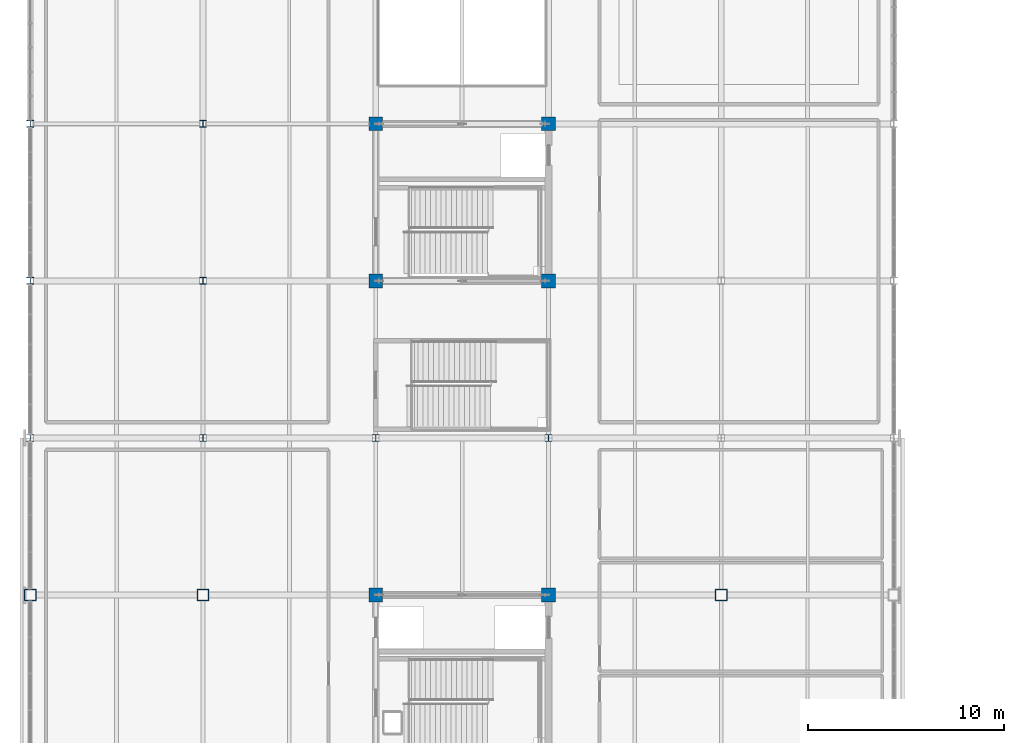
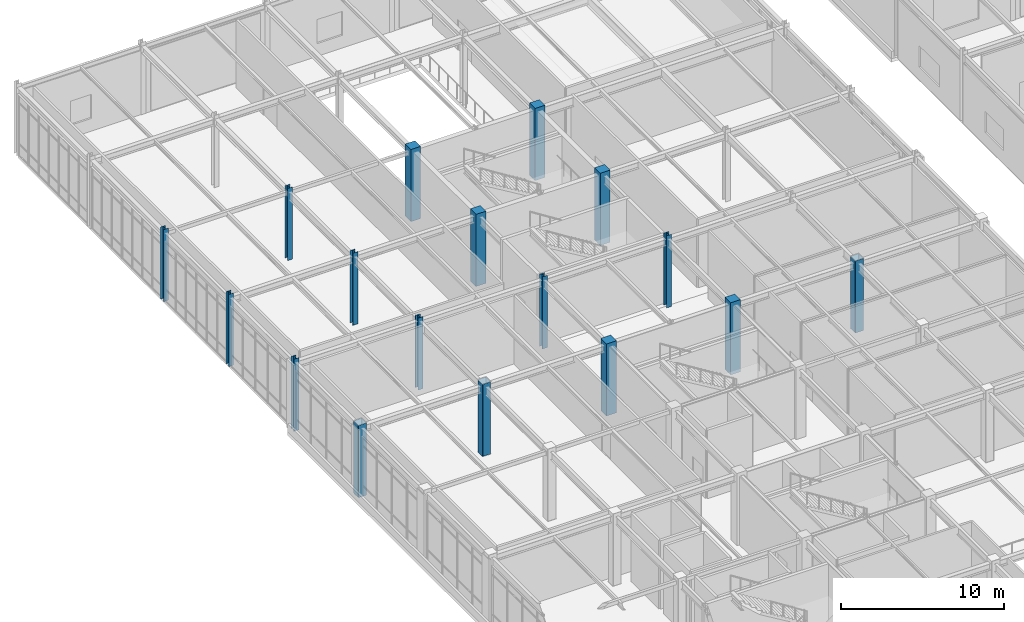
# One storey, part 12 of 184: 17 columns.
"""IFC4 building model written with IfcOpenShell, lengths in metres."""

import ifcopenshell
import ifcopenshell.guid

model = None  # the IFC model being written
_history = None  # IfcOwnerHistory: only IFC2X3 demands one
_inside = {}  # id of a spatial element -> (the spatial element, [elements in it])
_under = {}  # id of a project, library or spatial element -> (it, [spatial elements below it])
_declared = {}  # id of a project -> (the project, [libraries it declares])
_typed = {}  # id of a type object -> (the type object, [elements of that type])
_made_of = {}  # id of a material, layer set ... -> (it, [elements and type objects made of it])


def new_model(schema):
    """Start an empty IFC model of exactly this schema.

    Asked for "IFC4X3", IfcOpenShell would pick the latest addendum, in which some entities
    have other attributes; the version numbers below select the first issue.
    IFC2X3 requires an IfcOwnerHistory on every rooted entity: one is made here for all.
    """
    global model, _history
    if schema == "IFC4X3":
        model = ifcopenshell.file(schema_version=(4, 3, 0, 0))
    else:
        model = ifcopenshell.file(schema=schema)
    _inside.clear()
    _under.clear()
    _declared.clear()
    _typed.clear()
    _made_of.clear()
    _history = None
    if model.schema == "IFC2X3":
        org = make("IfcOrganization", Name="unknown")
        user = make(
            "IfcPersonAndOrganization",
            ThePerson=make("IfcPerson", FamilyName="unknown"),
            TheOrganization=org,
        )
        app = make(
            "IfcApplication",
            ApplicationDeveloper=org,
            Version="unknown",
            ApplicationFullName="unknown",
            ApplicationIdentifier="unknown",
        )
        _history = make(
            "IfcOwnerHistory",
            OwningUser=user,
            OwningApplication=app,
            ChangeAction="ADDED",
            CreationDate=0,
        )
    return model


def make(cls, **values):
    """One entity of the class cls with the attributes given. An attribute that is None is left unset."""
    return model.create_entity(
        cls, **{name: value for name, value in values.items() if value is not None}
    )


def rooted(cls, **values):
    """An entity with a GlobalId (a new one), such as an element, a storey or a relation."""
    return make(cls, GlobalId=ifcopenshell.guid.new(), OwnerHistory=_history, **values)


def si_unit(unit_type, name, prefix=None):
    """IfcSIUnit, for example si_unit("LENGTHUNIT", "METRE", prefix="MILLI")."""
    return make("IfcSIUnit", UnitType=unit_type, Prefix=prefix, Name=name)


def assignment(units):
    """IfcUnitAssignment: the units of a project."""
    return None if units is None else make("IfcUnitAssignment", Units=units)


def point(xyz):
    """IfcCartesianPoint."""
    return None if xyz is None else make("IfcCartesianPoint", Coordinates=xyz)


def direction(xyz):
    """IfcDirection."""
    return None if xyz is None else make("IfcDirection", DirectionRatios=xyz)


def frame(location, z_axis=None, x_axis=None):
    """IfcAxis2Placement3D, a coordinate frame: its origin and axes. An axis left out is left unset."""
    return make(
        "IfcAxis2Placement3D",
        Location=point(location),
        Axis=direction(z_axis),
        RefDirection=direction(x_axis),
    )


def frame_2d(location, x_axis=None):
    """IfcAxis2Placement2D, a coordinate frame in the plane: its origin and x axis."""
    return make(
        "IfcAxis2Placement2D", Location=point(location), RefDirection=direction(x_axis)
    )


def origin():
    """The frame at (0, 0, 0) with its axes left unset."""
    return frame((0.0, 0.0, 0.0))


def origin_2d():
    """The frame at (0, 0) in the plane with its x axis left unset."""
    return frame_2d((0.0, 0.0))


def place(relative_to, where):
    """IfcLocalPlacement: puts the frame where relative to a parent placement (None: the world)."""
    return make(
        "IfcLocalPlacement", PlacementRelTo=relative_to, RelativePlacement=where
    )


def context(
    kind, dimensions, precision=None, world=None, true_north=None, identifier=None
):
    """IfcGeometricRepresentationContext, for example the 3D "Model" context."""
    return make(
        "IfcGeometricRepresentationContext",
        ContextIdentifier=identifier,
        ContextType=kind,
        CoordinateSpaceDimension=dimensions,
        Precision=precision,
        WorldCoordinateSystem=world,
        TrueNorth=true_north,
    )


def subcontext(parent, identifier, kind, view, scale=None):
    """IfcGeometricRepresentationSubContext, for example "Body" below "Model"."""
    return make(
        "IfcGeometricRepresentationSubContext",
        ContextIdentifier=identifier,
        ContextType=kind,
        ParentContext=parent,
        TargetScale=scale,
        TargetView=view,
    )


def project(units=None, contexts=None):
    """IfcProject with its units and contexts."""
    return rooted(
        "IfcProject",
        Name="project",
        RepresentationContexts=contexts,
        UnitsInContext=assignment(units),
    )


def spatial(cls, under=None, at=None, **own):
    """A site, building, storey or space (cls), placed at a placement, below another one or the project."""
    s = rooted(cls, ObjectPlacement=at, **own)
    if under is not None:
        _under.setdefault(under.id(), (under, []))[1].append(s)
    return s


def profile(cls, at=None, kind="AREA", **sizes):
    """A parametric profile (cls). Its sizes go by their IFC names, for example OverallWidth=200.0."""
    return make(cls, ProfileType=kind, Position=at, **sizes)


def rectangle(**sizes):
    """IfcRectangleProfileDef."""
    return profile("IfcRectangleProfileDef", **sizes)


def hollow_rectangle(**sizes):
    """IfcRectangleHollowProfileDef."""
    return profile("IfcRectangleHollowProfileDef", **sizes)


def i_section(**sizes):
    """IfcIShapeProfileDef."""
    return profile("IfcIShapeProfileDef", **sizes)


def extrude(swept, where, along, depth):
    """IfcExtrudedAreaSolid: the profile swept, set in the frame where, extruded along a direction by depth."""
    return make(
        "IfcExtrudedAreaSolid",
        SweptArea=swept,
        Position=where,
        ExtrudedDirection=direction(along),
        Depth=depth,
    )


def shape(context_of_items, identifier, shape_type, items):
    """IfcShapeRepresentation: the items that make up one representation, for example the "Body"."""
    return make(
        "IfcShapeRepresentation",
        ContextOfItems=context_of_items,
        RepresentationIdentifier=identifier,
        RepresentationType=shape_type,
        Items=items,
    )


def material(Name=None, Category=None):
    """IfcMaterial."""
    return make("IfcMaterial", Name=Name, Category=Category)


def material_profile(
    of_material, cross_section, Name=None, Category=None, Priority=None
):
    """IfcMaterialProfile: a cross section and its material."""
    return make(
        "IfcMaterialProfile",
        Name=Name,
        Material=of_material,
        Profile=cross_section,
        Priority=Priority,
        Category=Category,
    )


def profile_set(profiles, Name=None, composite=None):
    """IfcMaterialProfileSet."""
    return make(
        "IfcMaterialProfileSet",
        Name=Name,
        MaterialProfiles=profiles,
        CompositeProfile=composite,
    )


def made_of(thing, what):
    """Note that an element or type object is made of a material, layer set ...; save() writes the relation."""
    if what is not None:
        _made_of.setdefault(what.id(), (what, []))[1].append(thing)
    return thing


def type_object(cls, material=None, **own):
    """A type object (cls), such as IfcWallType, which elements share."""
    return made_of(rooted(cls, **own), material)


def element(
    cls,
    number,
    at=None,
    inside=None,
    cuts=None,
    type_object=None,
    material=None,
    context=None,
    identifier="Body",
    shape_type=None,
    held_by="IfcProductDefinitionShape",
    body=None,
    shapes=None,
    **own,
):
    """One element of the class cls, such as IfcWall. Its Tag is "e" and its number.

    at: its placement. inside: the storey or other place that contains it. cuts: it is an
    opening in that element (IfcRelVoidsElement). A single representation is given by context,
    identifier, shape_type and body (its items); several are given by shapes. held_by: the class
    of the entity that holds the representations. save() writes the other relations.
    """
    e = rooted(cls, Tag="e%d" % number, ObjectPlacement=at, **own)
    if body is not None:
        shapes = [shape(context, identifier, shape_type, body)]
    if shapes is not None:
        e.Representation = make(held_by, Representations=shapes)
    if inside is not None:
        _inside.setdefault(inside.id(), (inside, []))[1].append(e)
    if cuts is not None:
        rooted(
            "IfcRelVoidsElement", RelatingBuildingElement=cuts, RelatedOpeningElement=e
        )
    if type_object is not None:
        _typed.setdefault(type_object.id(), (type_object, []))[1].append(e)
    return made_of(e, material)


def aggregate(whole, parts):
    """IfcRelAggregates: a whole, such as a stair, and the parts it consists of."""
    return rooted("IfcRelAggregates", RelatingObject=whole, RelatedObjects=parts)


def save(model, path):
    """Write the relations noted so far, then the file.

    IfcRelAggregates (storeys below a building ...), IfcRelContainedInSpatialStructure (elements
    in a storey), IfcRelDefinesByType, IfcRelAssociatesMaterial and IfcRelDeclares: one each for
    every whole, place, type object, material and project.
    """
    for whole, parts in _under.values():
        aggregate(whole, parts)
    for where, things in _inside.values():
        rooted(
            "IfcRelContainedInSpatialStructure",
            RelatedElements=things,
            RelatingStructure=where,
        )
    for kind, things in _typed.values():
        rooted("IfcRelDefinesByType", RelatedObjects=things, RelatingType=kind)
    for what, things in _made_of.values():
        rooted("IfcRelAssociatesMaterial", RelatedObjects=things, RelatingMaterial=what)
    for by, libraries in _declared.values():
        rooted("IfcRelDeclares", RelatingContext=by, RelatedDefinitions=libraries)
    model.write(path)


model = new_model("IFC4")

# Units and contexts
model_context = context("Model", 3, precision=1e-05, world=origin(), true_north=direction((0.0, 1.0)))
body_context = subcontext(model_context, "Body", "Model", "MODEL_VIEW")
ifc_project = project(units=[si_unit("LENGTHUNIT", "METRE"), si_unit("AREAUNIT", "SQUARE_METRE"), si_unit("VOLUMEUNIT", "CUBIC_METRE"), si_unit("PLANEANGLEUNIT", "RADIAN"), si_unit("MASSUNIT", "GRAM", prefix="KILO")], contexts=[model_context])

# Site, building, storey
site_placement = place(None, origin())
site = spatial("IfcSite", under=ifc_project, at=site_placement, CompositionType="ELEMENT")
building_placement = place(site_placement, origin())
building = spatial("IfcBuilding", under=site, at=building_placement, Name="Zhaolan Boulevard Law Courts", CompositionType="ELEMENT")
storey_placement = place(building_placement, frame((0.0, 0.0, 5.39990234375)))
storey = spatial("IfcBuildingStorey", under=building, at=storey_placement, Name="L01", CompositionType="ELEMENT", Elevation=5.39990234375)

# Columns
ifc_material_1 = material(Name="Structural steel Q390B", Category="steel")
ifc_material_profile_1 = material_profile(ifc_material_1, hollow_rectangle(XDim=0.60009765625, YDim=0.60009765625, WallThickness=0.02392578125, InnerFilletRadius=0.02392578125, OuterFilletRadius=0.048095703125, at=origin_2d()), Name="BOX600x600x24")
ifc_profile_set_1 = profile_set([ifc_material_profile_1], Name="Structural steel Q390B")
column_type_1 = type_object("IfcColumnType", Name="COL BOX600", PredefinedType="COLUMN", material=ifc_profile_set_1)
for number, where, z_axis, x_axis, name in (
    (1, (0.0, 70.0, 0.0), (0.0, 0.0, 1.0), (1.0, 0.0, 0.0), "Column C-1K (L01)"),
    (2, (8.800048828125, 70.0, 0.0), (0.0, 0.0, 1.0), (1.0, 0.0, 0.0), "Column C-2K (L01)"),
    (3, (35.199951171875, 70.0, 0.0), (0.0, 0.0, 1.0), (1.0, 0.0, 0.0), "Column C-5K (L01)"),
):
    element("IfcColumn", number, at=place(storey_placement, frame(where, z_axis=z_axis, x_axis=x_axis)), inside=storey, type_object=column_type_1, Name=name, PredefinedType="COLUMN", context=body_context, shape_type="SweptSolid", body=[
        extrude(hollow_rectangle(XDim=0.60009765625, YDim=0.60009765625, WallThickness=0.02392578125, InnerFilletRadius=0.02392578125, OuterFilletRadius=0.048095703125, at=origin_2d()), origin(), (0.0, 0.0, 1.0), 5.400146484375),
    ])
ifc_material_2 = material(Name="Structural steel Q355B", Category="steel")
ifc_material_profile_2 = material_profile(ifc_material_2, i_section(OverallWidth=0.35009765625, OverallDepth=0.35009765625, WebThickness=0.011962890625, FlangeThickness=0.01904296875, FilletRadius=0.02001953125, at=origin_2d()), Name="HW350x350")
ifc_profile_set_2 = profile_set([ifc_material_profile_2], Name="Structural steel Q355B")
column_type_2 = type_object("IfcColumnType", Name="COL HW350", PredefinedType="COLUMN", material=ifc_profile_set_2)
for number, where, z_axis, x_axis, name in (
    (4, (0.0, 78.0, 0.0), (0.0, 0.0, 1.0), (1.0, 0.0, 0.0), "Column C-1L (L01)"),
    (5, (0.0, 86.0, 0.0), (0.0, 0.0, 1.0), (1.0, 0.0, 0.0), "Column C-1M (L01)"),
    (6, (0.0, 94.0, 0.0), (0.0, 0.0, 1.0), (1.0, 0.0, 0.0), "Column C-1N (L01)"),
    (7, (8.800048828125, 78.0, 0.0), (0.0, 0.0, 1.0), (1.0, 0.0, 0.0), "Column C-2L (L01)"),
    (8, (8.800048828125, 86.0, 0.0), (0.0, 0.0, 1.0), (1.0, 0.0, 0.0), "Column C-2M (L01)"),
    (9, (8.800048828125, 94.0, 0.0), (0.0, 0.0, 1.0), (1.0, 0.0, 0.0), "Column C-2N (L01)"),
    (10, (17.60009765625, 78.0, 0.0), (0.0, 0.0, 1.0), (1.0, 0.0, 0.0), "Column C-3L (L01)"),
    (11, (26.39990234375, 78.0, 0.0), (0.0, 0.0, 1.0), (1.0, 0.0, 0.0), "Column C-4L (L01)"),
):
    element("IfcColumn", number, at=place(storey_placement, frame(where, z_axis=z_axis, x_axis=x_axis)), inside=storey, type_object=column_type_2, Name=name, PredefinedType="COLUMN", context=body_context, shape_type="SweptSolid", body=[
        extrude(i_section(OverallWidth=0.35009765625, OverallDepth=0.35009765625, WebThickness=0.011962890625, FlangeThickness=0.01904296875, FilletRadius=0.02001953125, at=origin_2d()), origin(), (0.0, 0.0, 1.0), 5.400146484375),
    ])
ifc_material_3 = material(Name="Concrete C50", Category="concrete")
ifc_material_profile_3 = material_profile(ifc_material_3, rectangle(XDim=0.699951171875, YDim=0.699951171875, at=origin_2d()), Name="RC700x700")
ifc_profile_set_3 = profile_set([ifc_material_profile_3], Name="Concrete C50")
column_type_3 = type_object("IfcColumnType", Name="COL RC700", PredefinedType="COLUMN", material=ifc_profile_set_3)
for number, where, z_axis, x_axis, name in (
    (12, (17.60009765625, 70.0, 0.0), (0.0, 0.0, 1.0), (1.0, 0.0, 0.0), "Column C-3K (L01)"),
    (13, (17.60009765625, 86.0, 0.0), (0.0, 0.0, 1.0), (1.0, 0.0, 0.0), "Column C-3M (L01)"),
    (14, (17.60009765625, 94.0, 0.0), (0.0, 0.0, 1.0), (1.0, 0.0, 0.0), "Column C-3N (L01)"),
    (15, (26.39990234375, 70.0, 0.0), (0.0, 0.0, 1.0), (1.0, 0.0, 0.0), "Column C-4K (L01)"),
    (16, (26.39990234375, 86.0, 0.0), (0.0, 0.0, 1.0), (1.0, 0.0, 0.0), "Column C-4M (L01)"),
    (17, (26.39990234375, 94.0, 0.0), (0.0, 0.0, 1.0), (1.0, 0.0, 0.0), "Column C-4N (L01)"),
):
    element("IfcColumn", number, at=place(storey_placement, frame(where, z_axis=z_axis, x_axis=x_axis)), inside=storey, type_object=column_type_3, Name=name, PredefinedType="COLUMN", context=body_context, shape_type="SweptSolid", body=[
        extrude(rectangle(XDim=0.699951171875, YDim=0.699951171875, at=origin_2d()), origin(), (0.0, 0.0, 1.0), 5.400146484375),
    ])

save(model, "model.ifc")
